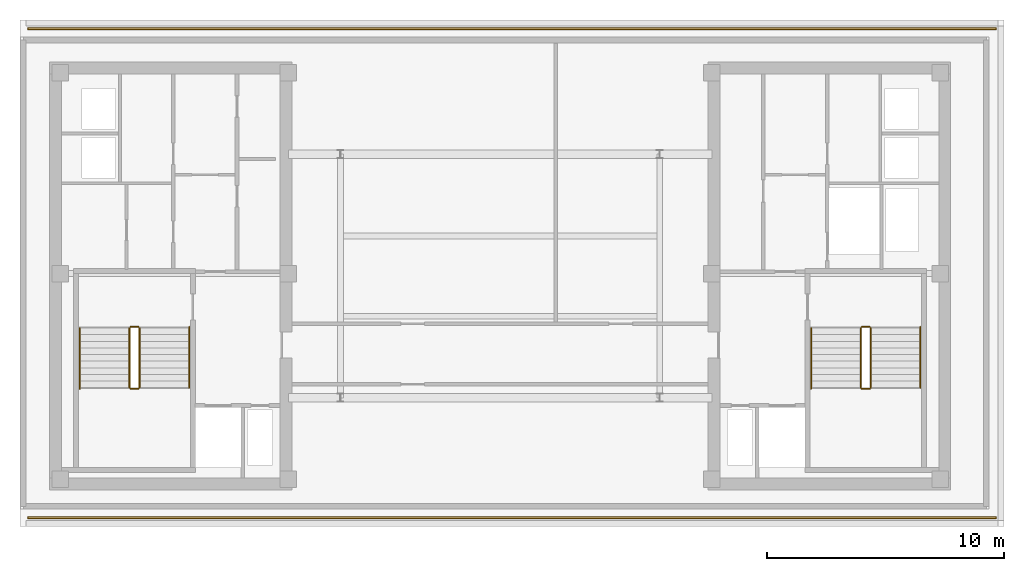
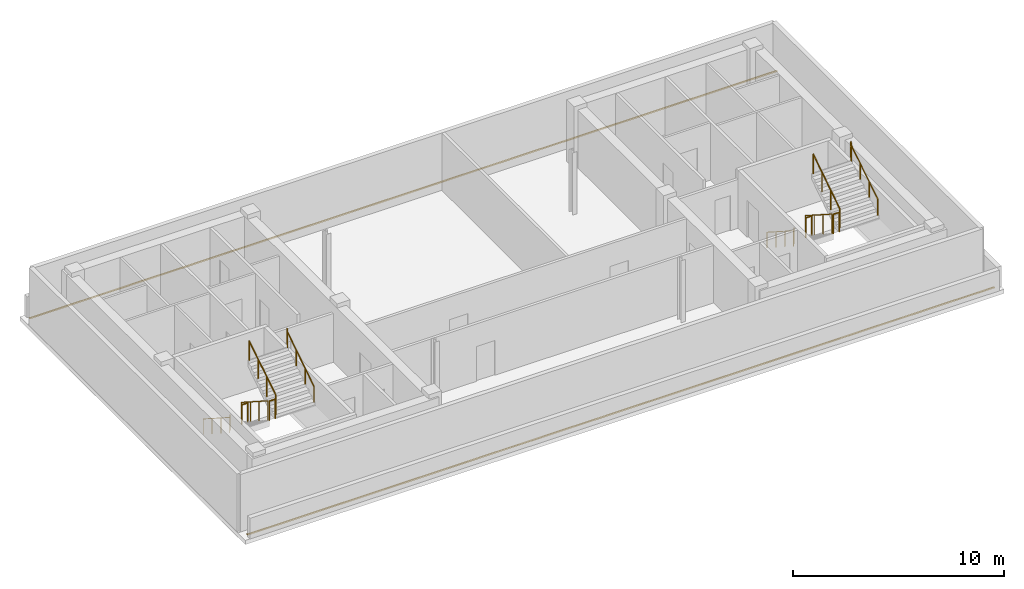
# One storey, part 5 of 5: 12 railings, 2 coverings.
"""IFC4 building model written with IfcOpenShell, lengths in metres."""

from ifc_helpers import new_model, si_unit, direction, frame, origin, origin_2d, place, context, subcontext, project, spatial, polyline, circle, outline, extrude, material, layer, layer_set, type_object, element, save


model = new_model("IFC4")

# Units and contexts
model_context = context("Model", 3, precision=1e-05, world=origin(), true_north=direction((0.0, 1.0)))
body_context = subcontext(model_context, "Body", "Model", "MODEL_VIEW")
ifc_project = project(units=[si_unit("LENGTHUNIT", "METRE"), si_unit("AREAUNIT", "SQUARE_METRE"), si_unit("VOLUMEUNIT", "CUBIC_METRE"), si_unit("PLANEANGLEUNIT", "RADIAN"), si_unit("MASSUNIT", "GRAM", prefix="KILO")], contexts=[model_context])

# Site, building, storey
site_placement = place(None, origin())
site = spatial("IfcSite", under=ifc_project, at=site_placement, CompositionType="ELEMENT")
building_placement = place(site_placement, origin())
building = spatial("IfcBuilding", under=site, at=building_placement, Name="Velakula Bourse", CompositionType="ELEMENT")
storey_placement = place(building_placement, frame((0.0, 0.0, 304.949951171875)))
storey = spatial("IfcBuildingStorey", under=building, at=storey_placement, Name="L83", CompositionType="ELEMENT", Elevation=304.949951171875)

# Coverings
ifc_material_1 = material(Name="Modified bitumen SBS waterproofing membrane", Category="bitumen")
ifc_layer = layer(ifc_material_1, 0.044921875, Name="Modified bitumen SBS waterproofing membrane", Category="bitumen")
ifc_layer_set = layer_set([ifc_layer], Name="Modified bitumen SBS waterproofing membrane")
covering_type = type_object("IfcCoveringType", Name="COV-ROOF-SBS-45", PredefinedType="ROOFING", material=ifc_layer_set)
covering_1_placement = place(storey_placement, origin())
element("IfcCovering", 1, at=covering_1_placement, inside=storey, type_object=covering_type, Name="L83 SBS Waterproofing Roof Membrane 1", PredefinedType="ROOFING", context=body_context, shape_type="SweptSolid", body=[
    extrude(outline(polyline([(-19.97998046875, -10.179931640625), (20.97998046875, -10.179931640625), (20.97998046875, -10.260009765625), (-19.97998046875, -10.260009765625), (-19.97998046875, -10.179931640625)])), origin(), (0.0, 0.0, 1.0), 0.045166015625),
])
covering_2_placement = place(storey_placement, origin())
element("IfcCovering", 2, at=covering_2_placement, inside=storey, type_object=covering_type, Name="L83 SBS Waterproofing Roof Membrane 2", PredefinedType="ROOFING", context=body_context, shape_type="SweptSolid", body=[
    extrude(outline(polyline([(20.97998046875, 10.419921875), (-19.97998046875, 10.419921875), (-19.97998046875, 10.5), (20.97998046875, 10.5), (20.97998046875, 10.419921875)])), origin(), (0.0, 0.0, 1.0), 0.045166015625),
])

# Railings
ifc_material_2 = material(Name="Brushed grade 316 stainless steel", Category="steel")
railing_type_1 = type_object("IfcRailingType", Name="RLG-STAIR-GUARD-1150", PredefinedType="BALUSTRADE", material=ifc_material_2)
railing_1_placement = place(storey_placement, frame((-15.672119140625, -2.199951171875, 0.179931640625)))
element("IfcRailing", 3, at=railing_1_placement, inside=storey, type_object=railing_type_1, Name="L83 ST-W1 stair guard 1", PredefinedType="BALUSTRADE", context=body_context, shape_type="SweptSolid", body=[
    extrude(circle(Radius=0.02490234375, at=origin_2d()), frame((0.0, 0.0, 1.125), z_axis=(0.0, -0.841162588446, 0.540782303519), x_axis=(1.0, 0.0, 0.0)), (0.0, 0.0, 1.0), 2.995849609375),
    extrude(circle(Radius=0.02099609375, at=origin_2d()), origin(), (0.0, 0.0, 1.0), 1.099853515625),
    extrude(circle(Radius=0.02099609375, at=origin_2d()), frame((0.0, -0.840087890625, 0.5400390625)), (0.0, 0.0, 1.0), 1.099853515625),
    extrude(circle(Radius=0.02099609375, at=origin_2d()), frame((0.0, -1.679931640625, 1.080078125)), (0.0, 0.0, 1.0), 1.099853515625),
    extrude(circle(Radius=0.02099609375, at=origin_2d()), frame((0.0, -2.52001953125, 1.6201171875)), (0.0, 0.0, 1.0), 1.099853515625),
])
railing_2_placement = place(storey_placement, frame((-15.6220703125, -4.77001953125, 1.800048828125)))
element("IfcRailing", 4, at=railing_2_placement, inside=storey, type_object=railing_type_1, Name="L83 ST-W1 stair guard 2", PredefinedType="BALUSTRADE", context=body_context, shape_type="SweptSolid", body=[
    extrude(circle(Radius=0.02490234375, at=origin_2d()), frame((0.0, 0.0, 1.125), z_axis=(1.0, 0.0, 0.0), x_axis=(0.0, 1.0, 0.0)), (0.0, 0.0, 1.0), 0.323974609375),
    extrude(circle(Radius=0.02099609375, at=origin_2d()), origin(), (0.0, 0.0, 1.0), 1.099853515625),
    extrude(circle(Radius=0.02099609375, at=origin_2d()), frame((0.323974609375, 0.0, 0.0)), (0.0, 0.0, 1.0), 1.099853515625),
])
railing_3_placement = place(storey_placement, frame((-15.248046875, -4.719970703125, 1.97998046875)))
element("IfcRailing", 5, at=railing_3_placement, inside=storey, type_object=railing_type_1, Name="L83 ST-W1 stair guard 3", PredefinedType="BALUSTRADE", context=body_context, shape_type="SweptSolid", body=[
    extrude(circle(Radius=0.02490234375, at=origin_2d()), frame((0.0, 0.0, 1.125), z_axis=(0.0, 0.841162588446, 0.540782303519), x_axis=(-1.0, 0.0, 0.0)), (0.0, 0.0, 1.0), 2.995849609375),
    extrude(circle(Radius=0.02099609375, at=origin_2d()), origin(), (0.0, 0.0, 1.0), 1.099853515625),
    extrude(circle(Radius=0.02099609375, at=origin_2d()), frame((0.0, 0.840087890625, 0.5400390625)), (0.0, 0.0, 1.0), 1.099853515625),
    extrude(circle(Radius=0.02099609375, at=origin_2d()), frame((0.0, 1.679931640625, 1.080078125)), (0.0, 0.0, 1.0), 1.099853515625),
    extrude(circle(Radius=0.02099609375, at=origin_2d()), frame((0.0, 2.52001953125, 1.6201171875)), (0.0, 0.0, 1.0), 1.099853515625),
])
railing_4_placement = place(storey_placement, frame((-15.6220703125, -2.14990234375, 0.0)))
element("IfcRailing", 6, at=railing_4_placement, inside=storey, type_object=railing_type_1, Name="L83 ST-W1 stair guard 4", PredefinedType="BALUSTRADE", context=body_context, shape_type="SweptSolid", body=[
    extrude(circle(Radius=0.02490234375, at=origin_2d()), frame((0.0, 0.0, 1.125), z_axis=(1.0, 0.0, 0.0), x_axis=(0.0, 1.0, 0.0)), (0.0, 0.0, 1.0), 0.323974609375),
    extrude(circle(Radius=0.02099609375, at=origin_2d()), origin(), (0.0, 0.0, 1.0), 1.099853515625),
    extrude(circle(Radius=0.02099609375, at=origin_2d()), frame((0.323974609375, 0.0, 0.0)), (0.0, 0.0, 1.0), 1.099853515625),
])
railing_5_placement = place(storey_placement, frame((15.248046875, -2.199951171875, 0.179931640625)))
element("IfcRailing", 7, at=railing_5_placement, inside=storey, type_object=railing_type_1, Name="L83 ST-E1 stair guard 1", PredefinedType="BALUSTRADE", context=body_context, shape_type="SweptSolid", body=[
    extrude(circle(Radius=0.02490234375, at=origin_2d()), frame((0.0, 0.0, 1.125), z_axis=(0.0, -0.841162588446, 0.540782303519), x_axis=(1.0, 0.0, 0.0)), (0.0, 0.0, 1.0), 2.995849609375),
    extrude(circle(Radius=0.02099609375, at=origin_2d()), origin(), (0.0, 0.0, 1.0), 1.099853515625),
    extrude(circle(Radius=0.02099609375, at=origin_2d()), frame((0.0, -0.840087890625, 0.5400390625)), (0.0, 0.0, 1.0), 1.099853515625),
    extrude(circle(Radius=0.02099609375, at=origin_2d()), frame((0.0, -1.679931640625, 1.080078125)), (0.0, 0.0, 1.0), 1.099853515625),
    extrude(circle(Radius=0.02099609375, at=origin_2d()), frame((0.0, -2.52001953125, 1.6201171875)), (0.0, 0.0, 1.0), 1.099853515625),
])
railing_6_placement = place(storey_placement, frame((15.298095703125, -4.77001953125, 1.800048828125)))
element("IfcRailing", 8, at=railing_6_placement, inside=storey, type_object=railing_type_1, Name="L83 ST-E1 stair guard 2", PredefinedType="BALUSTRADE", context=body_context, shape_type="SweptSolid", body=[
    extrude(circle(Radius=0.02490234375, at=origin_2d()), frame((0.0, 0.0, 1.125), z_axis=(1.0, 0.0, 0.0), x_axis=(0.0, 1.0, 0.0)), (0.0, 0.0, 1.0), 0.323974609375),
    extrude(circle(Radius=0.02099609375, at=origin_2d()), origin(), (0.0, 0.0, 1.0), 1.099853515625),
    extrude(circle(Radius=0.02099609375, at=origin_2d()), frame((0.323974609375, 0.0, 0.0)), (0.0, 0.0, 1.0), 1.099853515625),
])
railing_7_placement = place(storey_placement, frame((15.672119140625, -4.719970703125, 1.97998046875)))
element("IfcRailing", 9, at=railing_7_placement, inside=storey, type_object=railing_type_1, Name="L83 ST-E1 stair guard 3", PredefinedType="BALUSTRADE", context=body_context, shape_type="SweptSolid", body=[
    extrude(circle(Radius=0.02490234375, at=origin_2d()), frame((0.0, 0.0, 1.125), z_axis=(0.0, 0.841162588446, 0.540782303519), x_axis=(-1.0, 0.0, 0.0)), (0.0, 0.0, 1.0), 2.995849609375),
    extrude(circle(Radius=0.02099609375, at=origin_2d()), origin(), (0.0, 0.0, 1.0), 1.099853515625),
    extrude(circle(Radius=0.02099609375, at=origin_2d()), frame((0.0, 0.840087890625, 0.5400390625)), (0.0, 0.0, 1.0), 1.099853515625),
    extrude(circle(Radius=0.02099609375, at=origin_2d()), frame((0.0, 1.679931640625, 1.080078125)), (0.0, 0.0, 1.0), 1.099853515625),
    extrude(circle(Radius=0.02099609375, at=origin_2d()), frame((0.0, 2.52001953125, 1.6201171875)), (0.0, 0.0, 1.0), 1.099853515625),
])
railing_8_placement = place(storey_placement, frame((15.298095703125, -2.14990234375, 0.0)))
element("IfcRailing", 10, at=railing_8_placement, inside=storey, type_object=railing_type_1, Name="L83 ST-E1 stair guard 4", PredefinedType="BALUSTRADE", context=body_context, shape_type="SweptSolid", body=[
    extrude(circle(Radius=0.02490234375, at=origin_2d()), frame((0.0, 0.0, 1.125), z_axis=(1.0, 0.0, 0.0), x_axis=(0.0, 1.0, 0.0)), (0.0, 0.0, 1.0), 0.323974609375),
    extrude(circle(Radius=0.02099609375, at=origin_2d()), origin(), (0.0, 0.0, 1.0), 1.099853515625),
    extrude(circle(Radius=0.02099609375, at=origin_2d()), frame((0.323974609375, 0.0, 0.0)), (0.0, 0.0, 1.0), 1.099853515625),
])
railing_type_2 = type_object("IfcRailingType", Name="RLG-STAIR-HAND-920", PredefinedType="HANDRAIL", material=ifc_material_2)
railing_9_placement = place(storey_placement, frame((-17.77001953125, -2.199951171875, 0.179931640625)))
element("IfcRailing", 11, at=railing_9_placement, inside=storey, type_object=railing_type_2, Name="L83 ST-W1 stair handrail 1", PredefinedType="HANDRAIL", context=body_context, shape_type="SweptSolid", body=[
    extrude(circle(Radius=0.02099609375, at=origin_2d()), frame((0.0, 0.0, 0.89892578125), z_axis=(0.0, -0.841162588446, 0.540782303519), x_axis=(1.0, 0.0, 0.0)), (0.0, 0.0, 1.0), 2.995849609375),
    extrude(circle(Radius=0.02099609375, at=origin_2d()), frame((0.0, -2.52001953125, 2.51904296875), z_axis=(0.0, -0.217210922078, 0.976124692511), x_axis=(1.0, 0.0, 0.0)), (0.0, 0.0, 1.0), 0.184326171875),
    extrude(circle(Radius=0.02099609375, at=origin_2d()), frame((0.0, -2.56005859375, 2.698974609375), z_axis=(0.0, -1.0, 0.0), x_axis=(1.0, 0.0, 0.0)), (0.0, 0.0, 1.0), 0.0048828125),
    extrude(circle(Radius=0.02099609375, at=origin_2d()), origin(), (0.0, 0.0, 1.0), 0.8779296875),
    extrude(circle(Radius=0.02099609375, at=origin_2d()), frame((0.0, -0.840087890625, 0.5400390625)), (0.0, 0.0, 1.0), 0.8779296875),
    extrude(circle(Radius=0.02099609375, at=origin_2d()), frame((0.0, -1.679931640625, 1.080078125)), (0.0, 0.0, 1.0), 0.8779296875),
    extrude(circle(Radius=0.02099609375, at=origin_2d()), frame((0.0, -2.52001953125, 1.6201171875)), (0.0, 0.0, 1.0), 0.8779296875),
    extrude(circle(Radius=0.02099609375, at=origin_2d()), frame((0.0, -2.56005859375, 1.800048828125)), (0.0, 0.0, 1.0), 0.8779296875),
    extrude(circle(Radius=0.02099609375, at=origin_2d()), frame((0.0, -2.56494140625, 1.800048828125)), (0.0, 0.0, 1.0), 0.8779296875),
])
railing_10_placement = place(storey_placement, frame((-13.14990234375, -4.719970703125, 1.97998046875)))
element("IfcRailing", 12, at=railing_10_placement, inside=storey, type_object=railing_type_2, Name="L83 ST-W1 stair handrail 2", PredefinedType="HANDRAIL", context=body_context, shape_type="SweptSolid", body=[
    extrude(circle(Radius=0.02099609375, at=origin_2d()), frame((0.0, 0.0, 0.89892578125), z_axis=(0.0, 0.841162588446, 0.540782303519), x_axis=(-1.0, 0.0, 0.0)), (0.0, 0.0, 1.0), 2.995849609375),
    extrude(circle(Radius=0.02099609375, at=origin_2d()), frame((0.0, 2.52001953125, 2.51904296875), z_axis=(0.0, 0.217210922078, 0.976124692511), x_axis=(-1.0, 0.0, 0.0)), (0.0, 0.0, 1.0), 0.184326171875),
    extrude(circle(Radius=0.02099609375, at=origin_2d()), frame((0.0, 2.56005859375, 2.698974609375), z_axis=(0.0, 1.0, 0.0), x_axis=(-1.0, 0.0, 0.0)), (0.0, 0.0, 1.0), 0.0048828125),
    extrude(circle(Radius=0.02099609375, at=origin_2d()), origin(), (0.0, 0.0, 1.0), 0.8779296875),
    extrude(circle(Radius=0.02099609375, at=origin_2d()), frame((0.0, 0.840087890625, 0.5400390625)), (0.0, 0.0, 1.0), 0.8779296875),
    extrude(circle(Radius=0.02099609375, at=origin_2d()), frame((0.0, 1.679931640625, 1.080078125)), (0.0, 0.0, 1.0), 0.8779296875),
    extrude(circle(Radius=0.02099609375, at=origin_2d()), frame((0.0, 2.52001953125, 1.6201171875)), (0.0, 0.0, 1.0), 0.8779296875),
    extrude(circle(Radius=0.02099609375, at=origin_2d()), frame((0.0, 2.56005859375, 1.800048828125)), (0.0, 0.0, 1.0), 0.8779296875),
    extrude(circle(Radius=0.02099609375, at=origin_2d()), frame((0.0, 2.56494140625, 1.800048828125)), (0.0, 0.0, 1.0), 0.8779296875),
])
railing_11_placement = place(storey_placement, frame((13.14990234375, -2.199951171875, 0.179931640625)))
element("IfcRailing", 13, at=railing_11_placement, inside=storey, type_object=railing_type_2, Name="L83 ST-E1 stair handrail 1", PredefinedType="HANDRAIL", context=body_context, shape_type="SweptSolid", body=[
    extrude(circle(Radius=0.02099609375, at=origin_2d()), frame((0.0, 0.0, 0.89892578125), z_axis=(0.0, -0.841162588446, 0.540782303519), x_axis=(1.0, 0.0, 0.0)), (0.0, 0.0, 1.0), 2.995849609375),
    extrude(circle(Radius=0.02099609375, at=origin_2d()), frame((0.0, -2.52001953125, 2.51904296875), z_axis=(0.0, -0.217210922078, 0.976124692511), x_axis=(1.0, 0.0, 0.0)), (0.0, 0.0, 1.0), 0.184326171875),
    extrude(circle(Radius=0.02099609375, at=origin_2d()), frame((0.0, -2.56005859375, 2.698974609375), z_axis=(0.0, -1.0, 0.0), x_axis=(1.0, 0.0, 0.0)), (0.0, 0.0, 1.0), 0.0048828125),
    extrude(circle(Radius=0.02099609375, at=origin_2d()), origin(), (0.0, 0.0, 1.0), 0.8779296875),
    extrude(circle(Radius=0.02099609375, at=origin_2d()), frame((0.0, -0.840087890625, 0.5400390625)), (0.0, 0.0, 1.0), 0.8779296875),
    extrude(circle(Radius=0.02099609375, at=origin_2d()), frame((0.0, -1.679931640625, 1.080078125)), (0.0, 0.0, 1.0), 0.8779296875),
    extrude(circle(Radius=0.02099609375, at=origin_2d()), frame((0.0, -2.52001953125, 1.6201171875)), (0.0, 0.0, 1.0), 0.8779296875),
    extrude(circle(Radius=0.02099609375, at=origin_2d()), frame((0.0, -2.56005859375, 1.800048828125)), (0.0, 0.0, 1.0), 0.8779296875),
    extrude(circle(Radius=0.02099609375, at=origin_2d()), frame((0.0, -2.56494140625, 1.800048828125)), (0.0, 0.0, 1.0), 0.8779296875),
])
railing_12_placement = place(storey_placement, frame((17.77001953125, -4.719970703125, 1.97998046875)))
element("IfcRailing", 14, at=railing_12_placement, inside=storey, type_object=railing_type_2, Name="L83 ST-E1 stair handrail 2", PredefinedType="HANDRAIL", context=body_context, shape_type="SweptSolid", body=[
    extrude(circle(Radius=0.02099609375, at=origin_2d()), frame((0.0, 0.0, 0.89892578125), z_axis=(0.0, 0.841162588446, 0.540782303519), x_axis=(-1.0, 0.0, 0.0)), (0.0, 0.0, 1.0), 2.995849609375),
    extrude(circle(Radius=0.02099609375, at=origin_2d()), frame((0.0, 2.52001953125, 2.51904296875), z_axis=(0.0, 0.217210922078, 0.976124692511), x_axis=(-1.0, 0.0, 0.0)), (0.0, 0.0, 1.0), 0.184326171875),
    extrude(circle(Radius=0.02099609375, at=origin_2d()), frame((0.0, 2.56005859375, 2.698974609375), z_axis=(0.0, 1.0, 0.0), x_axis=(-1.0, 0.0, 0.0)), (0.0, 0.0, 1.0), 0.0048828125),
    extrude(circle(Radius=0.02099609375, at=origin_2d()), origin(), (0.0, 0.0, 1.0), 0.8779296875),
    extrude(circle(Radius=0.02099609375, at=origin_2d()), frame((0.0, 0.840087890625, 0.5400390625)), (0.0, 0.0, 1.0), 0.8779296875),
    extrude(circle(Radius=0.02099609375, at=origin_2d()), frame((0.0, 1.679931640625, 1.080078125)), (0.0, 0.0, 1.0), 0.8779296875),
    extrude(circle(Radius=0.02099609375, at=origin_2d()), frame((0.0, 2.52001953125, 1.6201171875)), (0.0, 0.0, 1.0), 0.8779296875),
    extrude(circle(Radius=0.02099609375, at=origin_2d()), frame((0.0, 2.56005859375, 1.800048828125)), (0.0, 0.0, 1.0), 0.8779296875),
    extrude(circle(Radius=0.02099609375, at=origin_2d()), frame((0.0, 2.56494140625, 1.800048828125)), (0.0, 0.0, 1.0), 0.8779296875),
])

save(model, "model.ifc")
